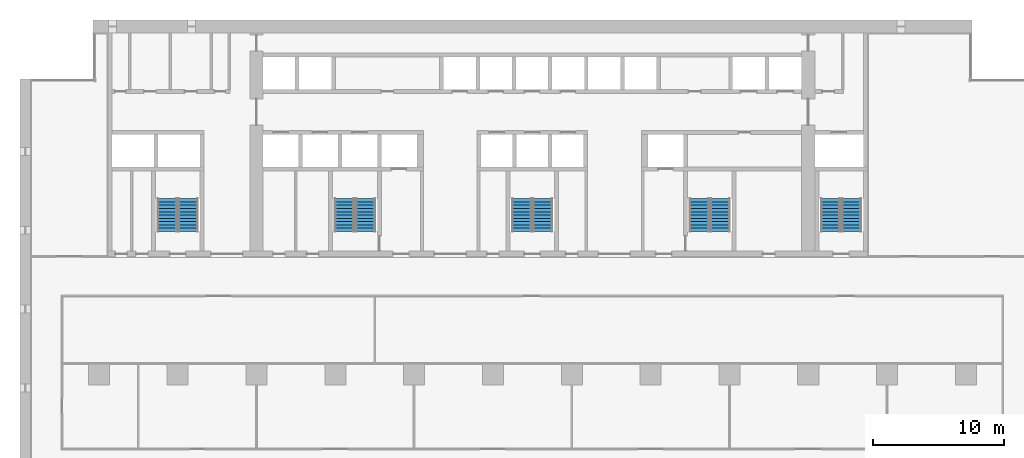
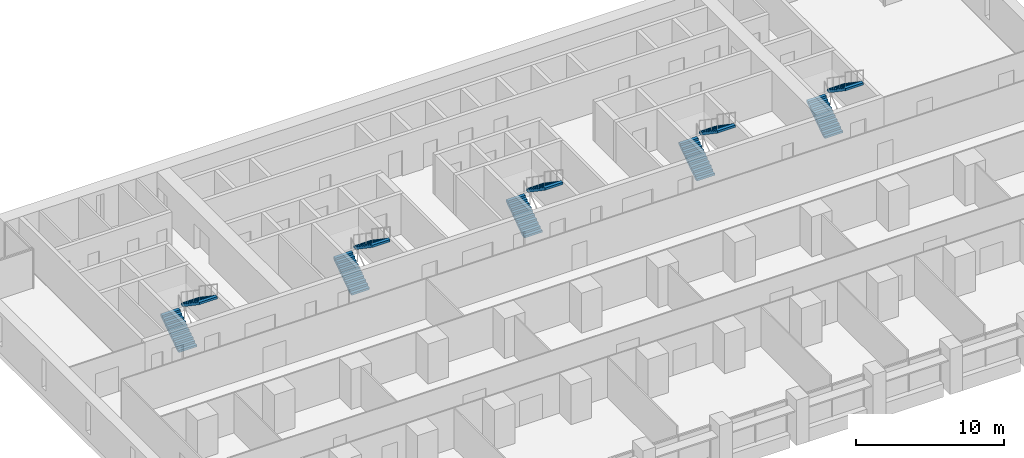
# One storey, part 14 of 18: 10 stair flights, 5 elements without a shape of their own.
"""IFC4 building model written with IfcOpenShell, lengths in metres."""

from ifc_helpers import new_model, si_unit, direction, frame, origin, place, context, subcontext, project, spatial, polyline, outline, extrude, material, type_object, element, aggregate, save


model = new_model("IFC4")

# Units and contexts
model_context = context("Model", 3, precision=1e-05, world=origin(), true_north=direction((0.0, 1.0)))
body_context = subcontext(model_context, "Body", "Model", "MODEL_VIEW")
ifc_project = project(units=[si_unit("LENGTHUNIT", "METRE"), si_unit("AREAUNIT", "SQUARE_METRE"), si_unit("VOLUMEUNIT", "CUBIC_METRE"), si_unit("PLANEANGLEUNIT", "RADIAN"), si_unit("MASSUNIT", "GRAM", prefix="KILO")], contexts=[model_context])

# Site, building, storey
site_placement = place(None, origin())
site = spatial("IfcSite", under=ifc_project, at=site_placement, CompositionType="ELEMENT")
building_placement = place(site_placement, origin())
building = spatial("IfcBuilding", under=site, at=building_placement, Name="Calvaro Tower", CompositionType="ELEMENT")
storey_placement = place(building_placement, frame((0.0, 0.0, 63.75)))
storey = spatial("IfcBuildingStorey", under=building, at=storey_placement, Name="L15", CompositionType="ELEMENT", Elevation=63.75)

# Stair, stair flights
ifc_material_1 = material(Name="Concrete C40/50", Category="concrete")
stair_type = type_object("IfcStairType", Name="Exit stair 1400 2 flights", PredefinedType="HALF_TURN_STAIR", material=ifc_material_1)
stair_1_placement = place(storey_placement, origin())
stair_1 = element("IfcStair", 1, at=stair_1_placement, inside=storey, type_object=stair_type, Name="Exit stair S1", PredefinedType="HALF_TURN_STAIR")
ifc_material_2 = material(Name="Concrete C40/50", Category="concrete")
stair_flight_type = type_object("IfcStairFlightType", Name="Stair flight", PredefinedType="STRAIGHT", material=ifc_material_2)
stair_flight_1_placement = place(storey_placement, frame((11.199951171875, 29.89990234375, 0.0), z_axis=(0.0, 0.0, 1.0), x_axis=(0.0, 1.0, 0.0)))
stair_flight_1 = element("IfcStairFlight", 2, at=stair_flight_1_placement, type_object=stair_flight_type, Name="Exit stair 1, flight 1", NumberOfRisers=11, NumberOfTreads=10, PredefinedType="STRAIGHT", RiserHeight=0.170454545, TreadLength=0.25, context=body_context, shape_type="SweptSolid", body=[
    extrude(outline(polyline([(0.0, 0.0), (0.0, 0.17041015625), (0.25, 0.17041015625), (0.25, 0.3408203125), (0.5, 0.3408203125), (0.5, 0.511474609375), (0.75, 0.511474609375), (0.75, 0.681884765625), (1.0, 0.681884765625), (1.0, 0.852294921875), (1.25, 0.852294921875), (1.25, 1.022705078125), (1.5, 1.022705078125), (1.5, 1.193115234375), (1.75, 1.193115234375), (1.75, 1.363525390625), (2.0, 1.363525390625), (2.0, 1.5341796875), (2.25, 1.5341796875), (2.25, 1.70458984375), (2.5, 1.70458984375), (2.5, 1.875), (2.5, 1.523193359375), (0.26611328125, 0.0), (0.0, 0.0)])), frame((0.0, 0.699951171875, 0.0), z_axis=(0.0, -1.0, 0.0), x_axis=(1.0, 0.0, 0.0)), (0.0, 0.0, 1.0), 1.39990234375),
])
stair_flight_2_placement = place(storey_placement, frame((12.800048828125, 32.39990234375, 1.875), z_axis=(0.0, 0.0, 1.0), x_axis=(0.0, -1.0, 0.0)))
stair_flight_2 = element("IfcStairFlight", 3, at=stair_flight_2_placement, type_object=stair_flight_type, Name="Exit stair 1, flight 2", NumberOfRisers=11, NumberOfTreads=10, PredefinedType="STRAIGHT", RiserHeight=0.170454545, TreadLength=0.25, context=body_context, shape_type="SweptSolid", body=[
    extrude(outline(polyline([(0.0, 0.0), (0.0, 0.17041015625), (0.25, 0.17041015625), (0.25, 0.3408203125), (0.5, 0.3408203125), (0.5, 0.511474609375), (0.75, 0.511474609375), (0.75, 0.681884765625), (1.0, 0.681884765625), (1.0, 0.852294921875), (1.25, 0.852294921875), (1.25, 1.022705078125), (1.5, 1.022705078125), (1.5, 1.193115234375), (1.75, 1.193115234375), (1.75, 1.363525390625), (2.0, 1.363525390625), (2.0, 1.5341796875), (2.25, 1.5341796875), (2.25, 1.70458984375), (2.5, 1.70458984375), (2.5, 1.875), (2.5, 1.523193359375), (0.26611328125, 0.0), (0.0, 0.0)])), frame((0.0, 0.699951171875, 0.0), z_axis=(0.0, -1.0, 0.0), x_axis=(1.0, 0.0, 0.0)), (0.0, 0.0, 1.0), 1.39990234375),
])
aggregate(stair_1, [stair_flight_1, stair_flight_2])

stair_2_placement = place(storey_placement, origin())
stair_2 = element("IfcStair", 4, at=stair_2_placement, inside=storey, type_object=stair_type, Name="Exit stair S2", PredefinedType="HALF_TURN_STAIR")
stair_flight_3_placement = place(storey_placement, frame((24.699951171875, 29.89990234375, 0.0), z_axis=(0.0, 0.0, 1.0), x_axis=(0.0, 1.0, 0.0)))
stair_flight_3 = element("IfcStairFlight", 5, at=stair_flight_3_placement, type_object=stair_flight_type, Name="Exit stair 2, flight 1", NumberOfRisers=11, NumberOfTreads=10, PredefinedType="STRAIGHT", RiserHeight=0.170454545, TreadLength=0.25, context=body_context, shape_type="SweptSolid", body=[
    extrude(outline(polyline([(0.0, 0.0), (0.0, 0.17041015625), (0.25, 0.17041015625), (0.25, 0.3408203125), (0.5, 0.3408203125), (0.5, 0.511474609375), (0.75, 0.511474609375), (0.75, 0.681884765625), (1.0, 0.681884765625), (1.0, 0.852294921875), (1.25, 0.852294921875), (1.25, 1.022705078125), (1.5, 1.022705078125), (1.5, 1.193115234375), (1.75, 1.193115234375), (1.75, 1.363525390625), (2.0, 1.363525390625), (2.0, 1.5341796875), (2.25, 1.5341796875), (2.25, 1.70458984375), (2.5, 1.70458984375), (2.5, 1.875), (2.5, 1.523193359375), (0.26611328125, 0.0), (0.0, 0.0)])), frame((0.0, 0.699951171875, 0.0), z_axis=(0.0, -1.0, 0.0), x_axis=(1.0, 0.0, 0.0)), (0.0, 0.0, 1.0), 1.39990234375),
])
stair_flight_4_placement = place(storey_placement, frame((26.300048828125, 32.39990234375, 1.875), z_axis=(0.0, 0.0, 1.0), x_axis=(0.0, -1.0, 0.0)))
stair_flight_4 = element("IfcStairFlight", 6, at=stair_flight_4_placement, type_object=stair_flight_type, Name="Exit stair 2, flight 2", NumberOfRisers=11, NumberOfTreads=10, PredefinedType="STRAIGHT", RiserHeight=0.170454545, TreadLength=0.25, context=body_context, shape_type="SweptSolid", body=[
    extrude(outline(polyline([(0.0, 0.0), (0.0, 0.17041015625), (0.25, 0.17041015625), (0.25, 0.3408203125), (0.5, 0.3408203125), (0.5, 0.511474609375), (0.75, 0.511474609375), (0.75, 0.681884765625), (1.0, 0.681884765625), (1.0, 0.852294921875), (1.25, 0.852294921875), (1.25, 1.022705078125), (1.5, 1.022705078125), (1.5, 1.193115234375), (1.75, 1.193115234375), (1.75, 1.363525390625), (2.0, 1.363525390625), (2.0, 1.5341796875), (2.25, 1.5341796875), (2.25, 1.70458984375), (2.5, 1.70458984375), (2.5, 1.875), (2.5, 1.523193359375), (0.26611328125, 0.0), (0.0, 0.0)])), frame((0.0, 0.699951171875, 0.0), z_axis=(0.0, -1.0, 0.0), x_axis=(1.0, 0.0, 0.0)), (0.0, 0.0, 1.0), 1.39990234375),
])
aggregate(stair_2, [stair_flight_3, stair_flight_4])

stair_3_placement = place(storey_placement, origin())
stair_3 = element("IfcStair", 7, at=stair_3_placement, inside=storey, type_object=stair_type, Name="Exit stair S3", PredefinedType="HALF_TURN_STAIR")
stair_flight_5_placement = place(storey_placement, frame((38.199951171875, 29.89990234375, 0.0), z_axis=(0.0, 0.0, 1.0), x_axis=(0.0, 1.0, 0.0)))
stair_flight_5 = element("IfcStairFlight", 8, at=stair_flight_5_placement, type_object=stair_flight_type, Name="Exit stair 3, flight 1", NumberOfRisers=11, NumberOfTreads=10, PredefinedType="STRAIGHT", RiserHeight=0.170454545, TreadLength=0.25, context=body_context, shape_type="SweptSolid", body=[
    extrude(outline(polyline([(0.0, 0.0), (0.0, 0.17041015625), (0.25, 0.17041015625), (0.25, 0.3408203125), (0.5, 0.3408203125), (0.5, 0.511474609375), (0.75, 0.511474609375), (0.75, 0.681884765625), (1.0, 0.681884765625), (1.0, 0.852294921875), (1.25, 0.852294921875), (1.25, 1.022705078125), (1.5, 1.022705078125), (1.5, 1.193115234375), (1.75, 1.193115234375), (1.75, 1.363525390625), (2.0, 1.363525390625), (2.0, 1.5341796875), (2.25, 1.5341796875), (2.25, 1.70458984375), (2.5, 1.70458984375), (2.5, 1.875), (2.5, 1.523193359375), (0.26611328125, 0.0), (0.0, 0.0)])), frame((0.0, 0.699951171875, 0.0), z_axis=(0.0, -1.0, 0.0), x_axis=(1.0, 0.0, 0.0)), (0.0, 0.0, 1.0), 1.39990234375),
])
stair_flight_6_placement = place(storey_placement, frame((39.800048828125, 32.39990234375, 1.875), z_axis=(0.0, 0.0, 1.0), x_axis=(0.0, -1.0, 0.0)))
stair_flight_6 = element("IfcStairFlight", 9, at=stair_flight_6_placement, type_object=stair_flight_type, Name="Exit stair 3, flight 2", NumberOfRisers=11, NumberOfTreads=10, PredefinedType="STRAIGHT", RiserHeight=0.170454545, TreadLength=0.25, context=body_context, shape_type="SweptSolid", body=[
    extrude(outline(polyline([(0.0, 0.0), (0.0, 0.17041015625), (0.25, 0.17041015625), (0.25, 0.3408203125), (0.5, 0.3408203125), (0.5, 0.511474609375), (0.75, 0.511474609375), (0.75, 0.681884765625), (1.0, 0.681884765625), (1.0, 0.852294921875), (1.25, 0.852294921875), (1.25, 1.022705078125), (1.5, 1.022705078125), (1.5, 1.193115234375), (1.75, 1.193115234375), (1.75, 1.363525390625), (2.0, 1.363525390625), (2.0, 1.5341796875), (2.25, 1.5341796875), (2.25, 1.70458984375), (2.5, 1.70458984375), (2.5, 1.875), (2.5, 1.523193359375), (0.26611328125, 0.0), (0.0, 0.0)])), frame((0.0, 0.699951171875, 0.0), z_axis=(0.0, -1.0, 0.0), x_axis=(1.0, 0.0, 0.0)), (0.0, 0.0, 1.0), 1.39990234375),
])
aggregate(stair_3, [stair_flight_5, stair_flight_6])

stair_4_placement = place(storey_placement, origin())
stair_4 = element("IfcStair", 10, at=stair_4_placement, inside=storey, type_object=stair_type, Name="Exit stair S4", PredefinedType="HALF_TURN_STAIR")
stair_flight_7_placement = place(storey_placement, frame((51.699951171875, 29.89990234375, 0.0), z_axis=(0.0, 0.0, 1.0), x_axis=(0.0, 1.0, 0.0)))
stair_flight_7 = element("IfcStairFlight", 11, at=stair_flight_7_placement, type_object=stair_flight_type, Name="Exit stair 4, flight 1", NumberOfRisers=11, NumberOfTreads=10, PredefinedType="STRAIGHT", RiserHeight=0.170454545, TreadLength=0.25, context=body_context, shape_type="SweptSolid", body=[
    extrude(outline(polyline([(0.0, 0.0), (0.0, 0.17041015625), (0.25, 0.17041015625), (0.25, 0.3408203125), (0.5, 0.3408203125), (0.5, 0.511474609375), (0.75, 0.511474609375), (0.75, 0.681884765625), (1.0, 0.681884765625), (1.0, 0.852294921875), (1.25, 0.852294921875), (1.25, 1.022705078125), (1.5, 1.022705078125), (1.5, 1.193115234375), (1.75, 1.193115234375), (1.75, 1.363525390625), (2.0, 1.363525390625), (2.0, 1.5341796875), (2.25, 1.5341796875), (2.25, 1.70458984375), (2.5, 1.70458984375), (2.5, 1.875), (2.5, 1.523193359375), (0.26611328125, 0.0), (0.0, 0.0)])), frame((0.0, 0.699951171875, 0.0), z_axis=(0.0, -1.0, 0.0), x_axis=(1.0, 0.0, 0.0)), (0.0, 0.0, 1.0), 1.39990234375),
])
stair_flight_8_placement = place(storey_placement, frame((53.300048828125, 32.39990234375, 1.875), z_axis=(0.0, 0.0, 1.0), x_axis=(0.0, -1.0, 0.0)))
stair_flight_8 = element("IfcStairFlight", 12, at=stair_flight_8_placement, type_object=stair_flight_type, Name="Exit stair 4, flight 2", NumberOfRisers=11, NumberOfTreads=10, PredefinedType="STRAIGHT", RiserHeight=0.170454545, TreadLength=0.25, context=body_context, shape_type="SweptSolid", body=[
    extrude(outline(polyline([(0.0, 0.0), (0.0, 0.17041015625), (0.25, 0.17041015625), (0.25, 0.3408203125), (0.5, 0.3408203125), (0.5, 0.511474609375), (0.75, 0.511474609375), (0.75, 0.681884765625), (1.0, 0.681884765625), (1.0, 0.852294921875), (1.25, 0.852294921875), (1.25, 1.022705078125), (1.5, 1.022705078125), (1.5, 1.193115234375), (1.75, 1.193115234375), (1.75, 1.363525390625), (2.0, 1.363525390625), (2.0, 1.5341796875), (2.25, 1.5341796875), (2.25, 1.70458984375), (2.5, 1.70458984375), (2.5, 1.875), (2.5, 1.523193359375), (0.26611328125, 0.0), (0.0, 0.0)])), frame((0.0, 0.699951171875, 0.0), z_axis=(0.0, -1.0, 0.0), x_axis=(1.0, 0.0, 0.0)), (0.0, 0.0, 1.0), 1.39990234375),
])
aggregate(stair_4, [stair_flight_7, stair_flight_8])

stair_5_placement = place(storey_placement, origin())
stair_5 = element("IfcStair", 13, at=stair_5_placement, inside=storey, type_object=stair_type, Name="Exit stair S5", PredefinedType="HALF_TURN_STAIR")
stair_flight_9_placement = place(storey_placement, frame((61.699951171875, 29.89990234375, 0.0), z_axis=(0.0, 0.0, 1.0), x_axis=(0.0, 1.0, 0.0)))
stair_flight_9 = element("IfcStairFlight", 14, at=stair_flight_9_placement, type_object=stair_flight_type, Name="Exit stair 5, flight 1", NumberOfRisers=11, NumberOfTreads=10, PredefinedType="STRAIGHT", RiserHeight=0.170454545, TreadLength=0.25, context=body_context, shape_type="SweptSolid", body=[
    extrude(outline(polyline([(0.0, 0.0), (0.0, 0.17041015625), (0.25, 0.17041015625), (0.25, 0.3408203125), (0.5, 0.3408203125), (0.5, 0.511474609375), (0.75, 0.511474609375), (0.75, 0.681884765625), (1.0, 0.681884765625), (1.0, 0.852294921875), (1.25, 0.852294921875), (1.25, 1.022705078125), (1.5, 1.022705078125), (1.5, 1.193115234375), (1.75, 1.193115234375), (1.75, 1.363525390625), (2.0, 1.363525390625), (2.0, 1.5341796875), (2.25, 1.5341796875), (2.25, 1.70458984375), (2.5, 1.70458984375), (2.5, 1.875), (2.5, 1.523193359375), (0.26611328125, 0.0), (0.0, 0.0)])), frame((0.0, 0.699951171875, 0.0), z_axis=(0.0, -1.0, 0.0), x_axis=(1.0, 0.0, 0.0)), (0.0, 0.0, 1.0), 1.39990234375),
])
stair_flight_10_placement = place(storey_placement, frame((63.300048828125, 32.39990234375, 1.875), z_axis=(0.0, 0.0, 1.0), x_axis=(0.0, -1.0, 0.0)))
stair_flight_10 = element("IfcStairFlight", 15, at=stair_flight_10_placement, type_object=stair_flight_type, Name="Exit stair 5, flight 2", NumberOfRisers=11, NumberOfTreads=10, PredefinedType="STRAIGHT", RiserHeight=0.170454545, TreadLength=0.25, context=body_context, shape_type="SweptSolid", body=[
    extrude(outline(polyline([(0.0, 0.0), (0.0, 0.17041015625), (0.25, 0.17041015625), (0.25, 0.3408203125), (0.5, 0.3408203125), (0.5, 0.511474609375), (0.75, 0.511474609375), (0.75, 0.681884765625), (1.0, 0.681884765625), (1.0, 0.852294921875), (1.25, 0.852294921875), (1.25, 1.022705078125), (1.5, 1.022705078125), (1.5, 1.193115234375), (1.75, 1.193115234375), (1.75, 1.363525390625), (2.0, 1.363525390625), (2.0, 1.5341796875), (2.25, 1.5341796875), (2.25, 1.70458984375), (2.5, 1.70458984375), (2.5, 1.875), (2.5, 1.523193359375), (0.26611328125, 0.0), (0.0, 0.0)])), frame((0.0, 0.699951171875, 0.0), z_axis=(0.0, -1.0, 0.0), x_axis=(1.0, 0.0, 0.0)), (0.0, 0.0, 1.0), 1.39990234375),
])
aggregate(stair_5, [stair_flight_9, stair_flight_10])

save(model, "model.ifc")
